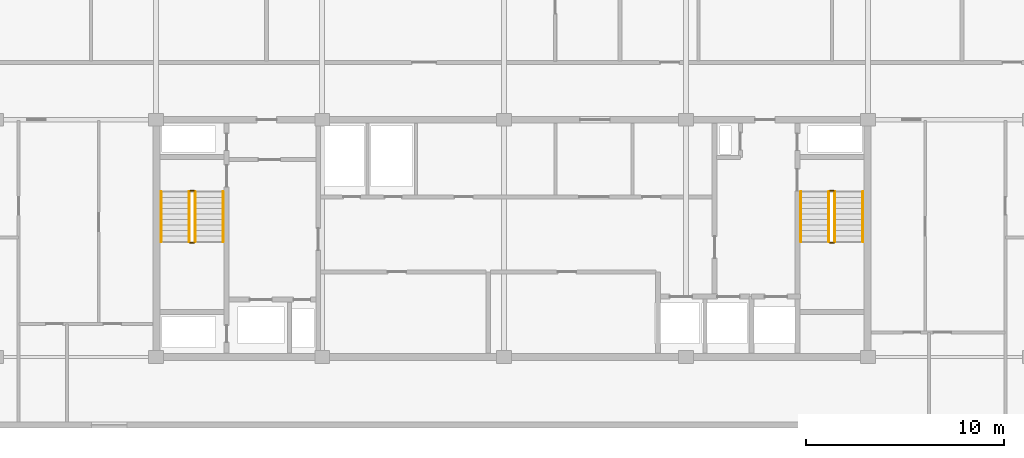
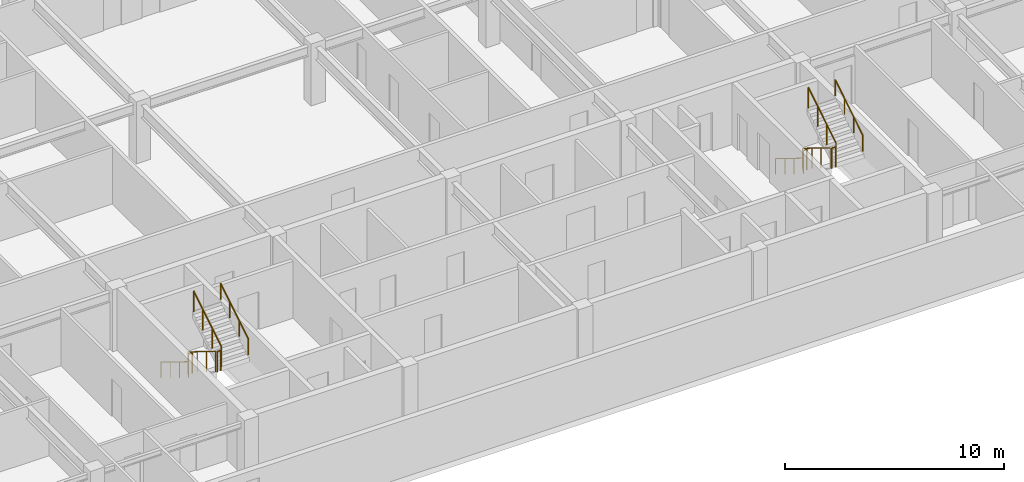
# One storey, part 9 of 10: 12 railings.
"""IFC4 building model written with IfcOpenShell, lengths in metres."""

from ifc_helpers import new_model, si_unit, direction, frame, origin, origin_2d, place, context, subcontext, project, spatial, circle, extrude, material, type_object, element, save


model = new_model("IFC4")

# Units and contexts
model_context = context("Model", 3, precision=1e-05, world=origin(), true_north=direction((0.0, 1.0)))
body_context = subcontext(model_context, "Body", "Model", "MODEL_VIEW")
ifc_project = project(units=[si_unit("LENGTHUNIT", "METRE"), si_unit("AREAUNIT", "SQUARE_METRE"), si_unit("VOLUMEUNIT", "CUBIC_METRE"), si_unit("PLANEANGLEUNIT", "RADIAN"), si_unit("MASSUNIT", "GRAM", prefix="KILO")], contexts=[model_context])

# Site, building, storey
site_placement = place(None, origin())
site = spatial("IfcSite", under=ifc_project, at=site_placement, CompositionType="ELEMENT")
building_placement = place(site_placement, origin())
building = spatial("IfcBuilding", under=site, at=building_placement, Name="Korimba Cascade Residences", CompositionType="ELEMENT")
storey_placement = place(building_placement, frame((0.0, 0.0, 228.64990234375)))
storey = spatial("IfcBuildingStorey", under=building, at=storey_placement, Name="L66", CompositionType="ELEMENT", Elevation=228.64990234375)

# Railings
ifc_material_1 = material(Name="Painted Steel Stairwell Guardrail", Category="steel")
railing_type_1 = type_object("IfcRailingType", Name="RLG-ST-GD1150", PredefinedType="GUARDRAIL", material=ifc_material_1)
railing_1_placement = place(storey_placement, frame((77.77001953125, 63.550048828125, 0.172607421875)))
element("IfcRailing", 1, at=railing_1_placement, inside=storey, type_object=railing_type_1, Name="L66 ST-W1 stair guard 1", PredefinedType="GUARDRAIL", context=body_context, shape_type="SweptSolid", body=[
    extrude(circle(Radius=0.02392578125, at=origin_2d()), frame((0.0, 0.0, 1.1259765625), z_axis=(0.0, -0.851400495292, 0.524516154772), x_axis=(1.0, 0.0, 0.0)), (0.0, 0.0, 1.0), 2.9599609375),
    extrude(circle(Radius=0.02099609375, at=origin_2d()), origin(), (0.0, 0.0, 1.0), 1.101806640625),
    extrude(circle(Radius=0.02099609375, at=origin_2d()), frame((0.0, -0.840087890625, 0.517578125)), (0.0, 0.0, 1.0), 1.101806640625),
    extrude(circle(Radius=0.02099609375, at=origin_2d()), frame((0.0, -1.679931640625, 1.034912109375)), (0.0, 0.0, 1.0), 1.101806640625),
    extrude(circle(Radius=0.02099609375, at=origin_2d()), frame((0.0, -2.52001953125, 1.552490234375)), (0.0, 0.0, 1.0), 1.101806640625),
])
railing_2_placement = place(storey_placement, frame((77.820068359375, 60.97998046875, 1.72509765625)))
element("IfcRailing", 2, at=railing_2_placement, inside=storey, type_object=railing_type_1, Name="L66 ST-W1 stair guard 2", PredefinedType="GUARDRAIL", context=body_context, shape_type="SweptSolid", body=[
    extrude(circle(Radius=0.02392578125, at=origin_2d()), frame((0.0, 0.0, 1.1259765625), z_axis=(1.0, 0.0, 0.0), x_axis=(0.0, 1.0, 0.0)), (0.0, 0.0, 1.0), 0.199951171875),
    extrude(circle(Radius=0.02099609375, at=origin_2d()), origin(), (0.0, 0.0, 1.0), 1.101806640625),
    extrude(circle(Radius=0.02099609375, at=origin_2d()), frame((0.199951171875, 0.0, 0.0)), (0.0, 0.0, 1.0), 1.101806640625),
])
railing_3_placement = place(storey_placement, frame((78.070068359375, 61.030029296875, 1.897705078125)))
element("IfcRailing", 3, at=railing_3_placement, inside=storey, type_object=railing_type_1, Name="L66 ST-W1 stair guard 3", PredefinedType="GUARDRAIL", context=body_context, shape_type="SweptSolid", body=[
    extrude(circle(Radius=0.02392578125, at=origin_2d()), frame((0.0, 0.0, 1.1259765625), z_axis=(0.0, 0.851400495292, 0.524516154772), x_axis=(-1.0, 0.0, 0.0)), (0.0, 0.0, 1.0), 2.9599609375),
    extrude(circle(Radius=0.02099609375, at=origin_2d()), origin(), (0.0, 0.0, 1.0), 1.101806640625),
    extrude(circle(Radius=0.02099609375, at=origin_2d()), frame((0.0, 0.840087890625, 0.517578125)), (0.0, 0.0, 1.0), 1.101806640625),
    extrude(circle(Radius=0.02099609375, at=origin_2d()), frame((0.0, 1.679931640625, 1.034912109375)), (0.0, 0.0, 1.0), 1.101806640625),
    extrude(circle(Radius=0.02099609375, at=origin_2d()), frame((0.0, 2.52001953125, 1.552490234375)), (0.0, 0.0, 1.0), 1.101806640625),
])
railing_4_placement = place(storey_placement, frame((77.820068359375, 63.60009765625, 0.0)))
element("IfcRailing", 4, at=railing_4_placement, inside=storey, type_object=railing_type_1, Name="L66 ST-W1 stair guard 4", PredefinedType="GUARDRAIL", context=body_context, shape_type="SweptSolid", body=[
    extrude(circle(Radius=0.02392578125, at=origin_2d()), frame((0.0, 0.0, 1.1259765625), z_axis=(1.0, 0.0, 0.0), x_axis=(0.0, 1.0, 0.0)), (0.0, 0.0, 1.0), 0.199951171875),
    extrude(circle(Radius=0.02099609375, at=origin_2d()), origin(), (0.0, 0.0, 1.0), 1.101806640625),
    extrude(circle(Radius=0.02099609375, at=origin_2d()), frame((0.199951171875, 0.0, 0.0)), (0.0, 0.0, 1.0), 1.101806640625),
])
railing_5_placement = place(storey_placement, frame((110.1298828125, 63.550048828125, 0.172607421875)))
element("IfcRailing", 5, at=railing_5_placement, inside=storey, type_object=railing_type_1, Name="L66 ST-W2 stair guard 1", PredefinedType="GUARDRAIL", context=body_context, shape_type="SweptSolid", body=[
    extrude(circle(Radius=0.02392578125, at=origin_2d()), frame((0.0, 0.0, 1.1259765625), z_axis=(0.0, -0.851400495292, 0.524516154772), x_axis=(1.0, 0.0, 0.0)), (0.0, 0.0, 1.0), 2.9599609375),
    extrude(circle(Radius=0.02099609375, at=origin_2d()), origin(), (0.0, 0.0, 1.0), 1.101806640625),
    extrude(circle(Radius=0.02099609375, at=origin_2d()), frame((0.0, -0.840087890625, 0.517578125)), (0.0, 0.0, 1.0), 1.101806640625),
    extrude(circle(Radius=0.02099609375, at=origin_2d()), frame((0.0, -1.679931640625, 1.034912109375)), (0.0, 0.0, 1.0), 1.101806640625),
    extrude(circle(Radius=0.02099609375, at=origin_2d()), frame((0.0, -2.52001953125, 1.552490234375)), (0.0, 0.0, 1.0), 1.101806640625),
])
railing_6_placement = place(storey_placement, frame((110.179931640625, 60.97998046875, 1.72509765625)))
element("IfcRailing", 6, at=railing_6_placement, inside=storey, type_object=railing_type_1, Name="L66 ST-W2 stair guard 2", PredefinedType="GUARDRAIL", context=body_context, shape_type="SweptSolid", body=[
    extrude(circle(Radius=0.02392578125, at=origin_2d()), frame((0.0, 0.0, 1.1259765625), z_axis=(1.0, 0.0, 0.0), x_axis=(0.0, 1.0, 0.0)), (0.0, 0.0, 1.0), 0.199951171875),
    extrude(circle(Radius=0.02099609375, at=origin_2d()), origin(), (0.0, 0.0, 1.0), 1.101806640625),
    extrude(circle(Radius=0.02099609375, at=origin_2d()), frame((0.199951171875, 0.0, 0.0)), (0.0, 0.0, 1.0), 1.101806640625),
])
railing_7_placement = place(storey_placement, frame((110.429931640625, 61.030029296875, 1.897705078125)))
element("IfcRailing", 7, at=railing_7_placement, inside=storey, type_object=railing_type_1, Name="L66 ST-W2 stair guard 3", PredefinedType="GUARDRAIL", context=body_context, shape_type="SweptSolid", body=[
    extrude(circle(Radius=0.02392578125, at=origin_2d()), frame((0.0, 0.0, 1.1259765625), z_axis=(0.0, 0.851400495292, 0.524516154772), x_axis=(-1.0, 0.0, 0.0)), (0.0, 0.0, 1.0), 2.9599609375),
    extrude(circle(Radius=0.02099609375, at=origin_2d()), origin(), (0.0, 0.0, 1.0), 1.101806640625),
    extrude(circle(Radius=0.02099609375, at=origin_2d()), frame((0.0, 0.840087890625, 0.517578125)), (0.0, 0.0, 1.0), 1.101806640625),
    extrude(circle(Radius=0.02099609375, at=origin_2d()), frame((0.0, 1.679931640625, 1.034912109375)), (0.0, 0.0, 1.0), 1.101806640625),
    extrude(circle(Radius=0.02099609375, at=origin_2d()), frame((0.0, 2.52001953125, 1.552490234375)), (0.0, 0.0, 1.0), 1.101806640625),
])
railing_8_placement = place(storey_placement, frame((110.179931640625, 63.60009765625, 0.0)))
element("IfcRailing", 8, at=railing_8_placement, inside=storey, type_object=railing_type_1, Name="L66 ST-W2 stair guard 4", PredefinedType="GUARDRAIL", context=body_context, shape_type="SweptSolid", body=[
    extrude(circle(Radius=0.02392578125, at=origin_2d()), frame((0.0, 0.0, 1.1259765625), z_axis=(1.0, 0.0, 0.0), x_axis=(0.0, 1.0, 0.0)), (0.0, 0.0, 1.0), 0.199951171875),
    extrude(circle(Radius=0.02099609375, at=origin_2d()), origin(), (0.0, 0.0, 1.0), 1.101806640625),
    extrude(circle(Radius=0.02099609375, at=origin_2d()), frame((0.199951171875, 0.0, 0.0)), (0.0, 0.0, 1.0), 1.101806640625),
])
ifc_material_2 = material(Name="Brushed Stainless Steel Handrail", Category="steel")
railing_type_2 = type_object("IfcRailingType", Name="RLG-ST-HR900", PredefinedType="HANDRAIL", material=ifc_material_2)
railing_9_placement = place(storey_placement, frame((76.35009765625, 63.550048828125, 0.3486328125)))
element("IfcRailing", 9, at=railing_9_placement, inside=storey, type_object=railing_type_2, Name="L66 ST-W1 stair handrail 1", PredefinedType="HANDRAIL", context=body_context, shape_type="SweptSolid", body=[
    extrude(circle(Radius=0.02392578125, at=origin_2d()), frame((0.0, 0.0, 0.8759765625), z_axis=(0.0, -0.851400495292, 0.524516154772), x_axis=(1.0, 0.0, 0.0)), (0.0, 0.0, 1.0), 2.9599609375),
    extrude(circle(Radius=0.02099609375, at=origin_2d()), origin(), (0.0, 0.0, 1.0), 0.851806640625),
    extrude(circle(Radius=0.02099609375, at=origin_2d()), frame((0.0, -0.840087890625, 0.517578125)), (0.0, 0.0, 1.0), 0.851806640625),
    extrude(circle(Radius=0.02099609375, at=origin_2d()), frame((0.0, -1.679931640625, 1.034912109375)), (0.0, 0.0, 1.0), 0.851806640625),
    extrude(circle(Radius=0.02099609375, at=origin_2d()), frame((0.0, -2.52001953125, 1.552490234375)), (0.0, 0.0, 1.0), 0.851806640625),
])
railing_10_placement = place(storey_placement, frame((79.489990234375, 61.030029296875, 2.07373046875)))
element("IfcRailing", 10, at=railing_10_placement, inside=storey, type_object=railing_type_2, Name="L66 ST-W1 stair handrail 2", PredefinedType="HANDRAIL", context=body_context, shape_type="SweptSolid", body=[
    extrude(circle(Radius=0.02392578125, at=origin_2d()), frame((0.0, 0.0, 0.8759765625), z_axis=(0.0, 0.851400495292, 0.524516154772), x_axis=(-1.0, 0.0, 0.0)), (0.0, 0.0, 1.0), 2.9599609375),
    extrude(circle(Radius=0.02099609375, at=origin_2d()), origin(), (0.0, 0.0, 1.0), 0.851806640625),
    extrude(circle(Radius=0.02099609375, at=origin_2d()), frame((0.0, 0.840087890625, 0.517578125)), (0.0, 0.0, 1.0), 0.851806640625),
    extrude(circle(Radius=0.02099609375, at=origin_2d()), frame((0.0, 1.679931640625, 1.034912109375)), (0.0, 0.0, 1.0), 0.851806640625),
    extrude(circle(Radius=0.02099609375, at=origin_2d()), frame((0.0, 2.52001953125, 1.552490234375)), (0.0, 0.0, 1.0), 0.851806640625),
])
railing_11_placement = place(storey_placement, frame((108.7099609375, 63.550048828125, 0.3486328125)))
element("IfcRailing", 11, at=railing_11_placement, inside=storey, type_object=railing_type_2, Name="L66 ST-W2 stair handrail 1", PredefinedType="HANDRAIL", context=body_context, shape_type="SweptSolid", body=[
    extrude(circle(Radius=0.02392578125, at=origin_2d()), frame((0.0, 0.0, 0.8759765625), z_axis=(0.0, -0.851400495292, 0.524516154772), x_axis=(1.0, 0.0, 0.0)), (0.0, 0.0, 1.0), 2.9599609375),
    extrude(circle(Radius=0.02099609375, at=origin_2d()), origin(), (0.0, 0.0, 1.0), 0.851806640625),
    extrude(circle(Radius=0.02099609375, at=origin_2d()), frame((0.0, -0.840087890625, 0.517578125)), (0.0, 0.0, 1.0), 0.851806640625),
    extrude(circle(Radius=0.02099609375, at=origin_2d()), frame((0.0, -1.679931640625, 1.034912109375)), (0.0, 0.0, 1.0), 0.851806640625),
    extrude(circle(Radius=0.02099609375, at=origin_2d()), frame((0.0, -2.52001953125, 1.552490234375)), (0.0, 0.0, 1.0), 0.851806640625),
])
railing_12_placement = place(storey_placement, frame((111.85009765625, 61.030029296875, 2.07373046875)))
element("IfcRailing", 12, at=railing_12_placement, inside=storey, type_object=railing_type_2, Name="L66 ST-W2 stair handrail 2", PredefinedType="HANDRAIL", context=body_context, shape_type="SweptSolid", body=[
    extrude(circle(Radius=0.02392578125, at=origin_2d()), frame((0.0, 0.0, 0.8759765625), z_axis=(0.0, 0.851400495292, 0.524516154772), x_axis=(-1.0, 0.0, 0.0)), (0.0, 0.0, 1.0), 2.9599609375),
    extrude(circle(Radius=0.02099609375, at=origin_2d()), origin(), (0.0, 0.0, 1.0), 0.851806640625),
    extrude(circle(Radius=0.02099609375, at=origin_2d()), frame((0.0, 0.840087890625, 0.517578125)), (0.0, 0.0, 1.0), 0.851806640625),
    extrude(circle(Radius=0.02099609375, at=origin_2d()), frame((0.0, 1.679931640625, 1.034912109375)), (0.0, 0.0, 1.0), 0.851806640625),
    extrude(circle(Radius=0.02099609375, at=origin_2d()), frame((0.0, 2.52001953125, 1.552490234375)), (0.0, 0.0, 1.0), 0.851806640625),
])

save(model, "model.ifc")
